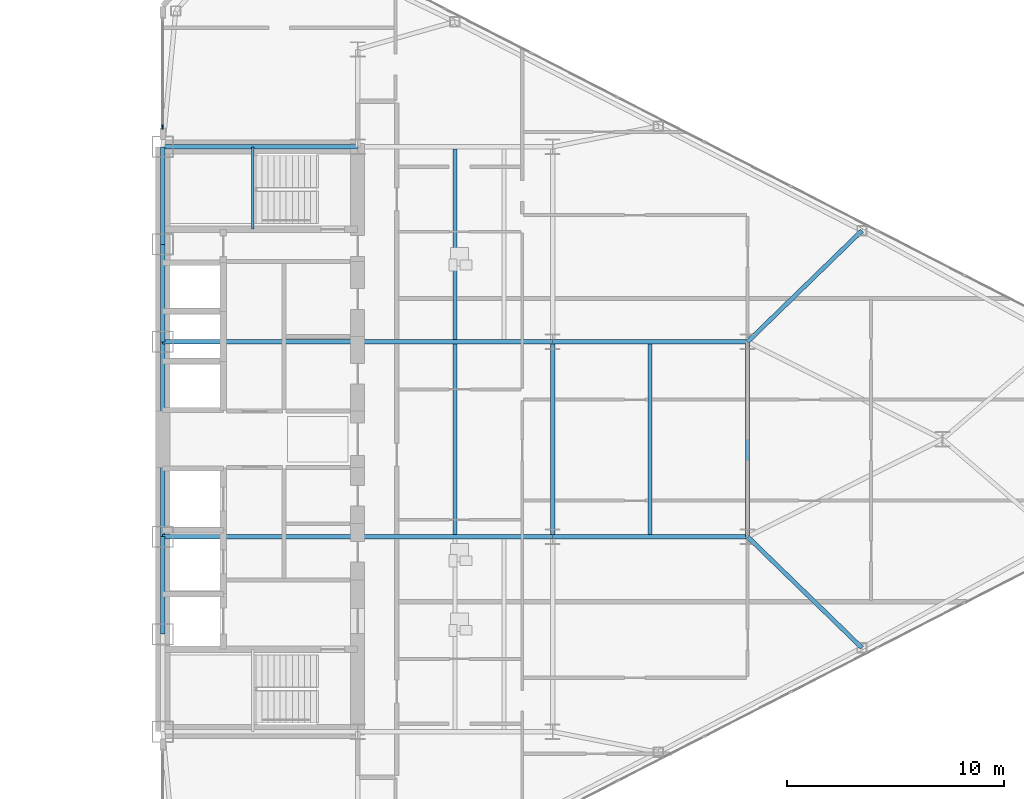
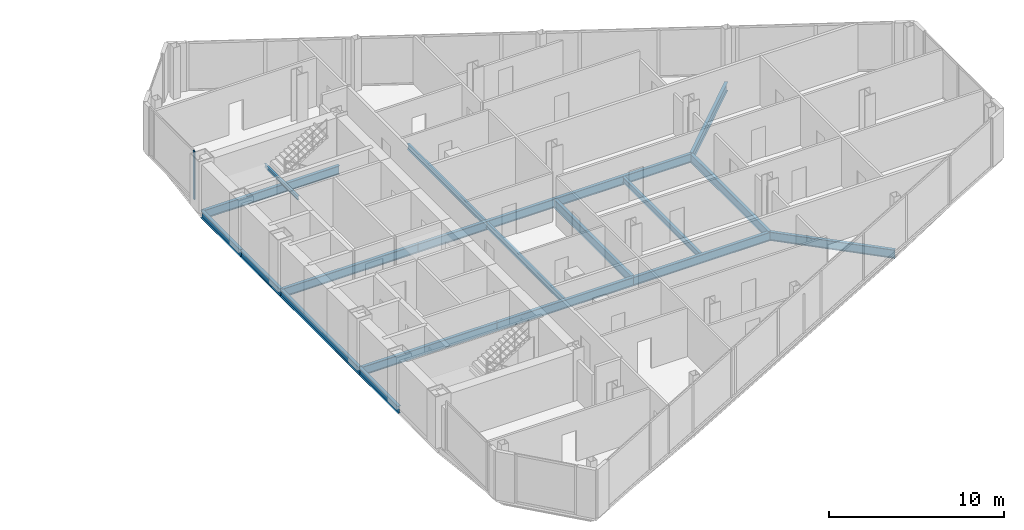
# One storey, part 10 of 24: 19 beams, 1 member, 1 element without a shape of its own.
"""IFC4 building model written with IfcOpenShell, lengths in metres."""

from ifc_helpers import new_model, si_unit, direction, frame, origin, origin_2d, place, context, subcontext, project, spatial, rectangle, i_section, extrude, source, transform, mapped, material, layer, layer_set, material_profile, profile_set, type_object, type_shapes, element, aggregate, save


model = new_model("IFC4")

# Units and contexts
model_context = context("Model", 3, precision=1e-05, world=origin(), true_north=direction((0.0, 1.0)))
body_context = subcontext(model_context, "Body", "Model", "MODEL_VIEW")
ifc_project = project(units=[si_unit("LENGTHUNIT", "METRE"), si_unit("AREAUNIT", "SQUARE_METRE"), si_unit("VOLUMEUNIT", "CUBIC_METRE"), si_unit("PLANEANGLEUNIT", "RADIAN"), si_unit("MASSUNIT", "GRAM", prefix="KILO")], contexts=[model_context])

# Site, building, storey
site_placement = place(None, origin())
site = spatial("IfcSite", under=ifc_project, at=site_placement, CompositionType="ELEMENT")
building_placement = place(site_placement, origin())
building = spatial("IfcBuilding", under=site, at=building_placement, Name="Seokmaru Belvedere", CompositionType="ELEMENT")
storey_placement = place(building_placement, frame((0.0, 0.0, 114.0)))
storey = spatial("IfcBuildingStorey", under=building, at=storey_placement, Name="L30", CompositionType="ELEMENT", Elevation=114.0)

# Beams
ifc_material_1 = material(Name="Steel SM355 (355 MPa)", Category="steel")
ifc_material_profile_1 = material_profile(ifc_material_1, i_section(OverallWidth=0.199951171875, OverallDepth=0.5, WebThickness=0.010009765625, FlangeThickness=0.01611328125, at=origin_2d()), Name="H-500x200x10x16")
ifc_profile_set_1 = profile_set([ifc_material_profile_1], Name="Steel SM355 (355 MPa)")
beam_type_1 = type_object("IfcBeamType", Name="Perimeter Spandrel Beam H-500", PredefinedType="SPANDREL", material=ifc_profile_set_1)
shared_shape_1 = source(origin(), body_context, "Body", "SweptSolid", [
    extrude(i_section(OverallWidth=0.199951171875, OverallDepth=0.5, WebThickness=0.010009765625, FlangeThickness=0.01611328125, at=origin_2d()), origin(), (0.0, 0.0, 1.0), 4.5),
])
for number, where, z_axis, x_axis, name in (
    (1, (27.5, -9.0, -0.469970703125), (0.0, 1.0, 0.0), (-1.0, 0.0, 0.0), "L30 E Portal Spine Spandrel 2"),
    (2, (27.5, 4.5, -0.469970703125), (0.0, 1.0, 0.0), (-1.0, 0.0, 0.0), "L30 E Portal Spine Spandrel 4"),
    (3, (27.5, 9.0, -0.469970703125), (0.0, 1.0, 0.0), (-1.0, 0.0, 0.0), "L30 E Portal Spine Spandrel 5"),
):
    element("IfcBeam", number, at=place(storey_placement, frame(where, z_axis=z_axis, x_axis=x_axis)), inside=storey, type_object=beam_type_1, Name=name, PredefinedType="SPANDREL", context=body_context, shape_type="MappedRepresentation", body=[
        mapped(shared_shape_1, transform((0.0, 0.0, 0.0), scale=1.0)),
    ])
shared_shape_2 = source(origin(), body_context, "Body", "SweptSolid", [
    extrude(i_section(OverallWidth=0.199951171875, OverallDepth=0.5, WebThickness=0.010009765625, FlangeThickness=0.01611328125, at=origin_2d()), origin(), (0.0, 0.0, 1.0), 9.0),
])
type_shapes(beam_type_1, [shared_shape_1, shared_shape_2])
beam_1_placement = place(storey_placement, frame((27.5, -4.5, -0.469970703125), z_axis=(0.0, 1.0, 0.0), x_axis=(-1.0, 0.0, 0.0)))
element("IfcBeam", 4, at=beam_1_placement, inside=storey, type_object=beam_type_1, Name="L30 E Portal Spine Spandrel 3", PredefinedType="SPANDREL", context=body_context, shape_type="MappedRepresentation", body=[
    mapped(shared_shape_2, transform((0.0, 0.0, 0.0), scale=1.0)),
])
ifc_material_profile_2 = material_profile(ifc_material_1, i_section(OverallWidth=0.199951171875, OverallDepth=0.60009765625, WebThickness=0.010986328125, FlangeThickness=0.01708984375, at=origin_2d()), Name="H-600x200x11x17")
ifc_profile_set_2 = profile_set([ifc_material_profile_2], Name="Steel SM355 (355 MPa)")
beam_type_2 = type_object("IfcBeamType", Name="Primary Floor Girder H-600", PredefinedType="BEAM", material=ifc_profile_set_2)
shared_shape_3 = source(origin(), body_context, "Body", "SweptSolid", [
    extrude(i_section(OverallWidth=0.199951171875, OverallDepth=0.60009765625, WebThickness=0.010986328125, FlangeThickness=0.01708984375, at=origin_2d()), origin(), (0.0, 0.0, 1.0), 9.0),
])
for number, where, z_axis, x_axis, name in (
    (5, (45.5, -4.5, -0.52001953125), (0.0, 1.0, 0.0), (-1.0, 0.0, 0.0), "L30 E Interior Grid Girder 2"),
    (6, (27.5, -4.5, -0.52001953125), (1.0, 0.0, 0.0), (0.0, 1.0, 0.0), "L30 E Core Tie Girder 2"),
    (7, (36.5, -4.5, -0.52001953125), (1.0, 0.0, 0.0), (0.0, 1.0, 0.0), "L30 E Wing Primary Girder 2"),
    (8, (27.5, 4.5, -0.52001953125), (1.0, 0.0, 0.0), (0.0, 1.0, 0.0), "L30 E Core Tie Girder 3"),
    (9, (36.5, 4.5, -0.52001953125), (1.0, 0.0, 0.0), (0.0, 1.0, 0.0), "L30 E Wing Primary Girder 3"),
    (10, (27.5, 13.5, -0.52001953125), (1.0, 0.0, 0.0), (0.0, 1.0, 0.0), "L30 E Core Tie Girder 4"),
    (11, (45.5, -4.5, -0.52001953125), (1.0, 0.0, 0.0), (0.0, 1.0, 0.0), "L30 E Outer Wing Girder 1"),
    (12, (45.5, 4.5, -0.52001953125), (1.0, 0.0, 0.0), (0.0, 1.0, 0.0), "L30 E Outer Wing Girder 2"),
    (13, (54.5, -4.5, -0.52001953125), (0.0, 1.0, 0.0), (-1.0, 0.0, 0.0), "L30 E Apex Frame Girder"),
):
    element("IfcBeam", number, at=place(storey_placement, frame(where, z_axis=z_axis, x_axis=x_axis)), inside=storey, type_object=beam_type_2, Name=name, PredefinedType="BEAM", context=body_context, shape_type="MappedRepresentation", body=[
        mapped(shared_shape_3, transform((0.0, 0.0, 0.0), scale=1.0)),
    ])
ifc_material_profile_3 = material_profile(ifc_material_1, i_section(OverallWidth=0.18505859375, OverallDepth=0.389892578125, WebThickness=0.008056640625, FlangeThickness=0.011962890625, at=origin_2d()), Name="H-390x185x8x12")
ifc_profile_set_3 = profile_set([ifc_material_profile_3], Name="Steel SM355 (355 MPa)")
beam_type_3 = type_object("IfcBeamType", Name="Secondary Floor Joist H-350", PredefinedType="JOIST", material=ifc_profile_set_3)
shared_shape_4 = source(origin(), body_context, "Body", "SweptSolid", [
    extrude(i_section(OverallWidth=0.18505859375, OverallDepth=0.389892578125, WebThickness=0.008056640625, FlangeThickness=0.011962890625, at=origin_2d()), origin(), (0.0, 0.0, 1.0), 8.7900390625),
])
type_shapes(beam_type_3, [shared_shape_4])
for number, where, z_axis, x_axis, name in (
    (14, (41.0, -4.39501953125, -0.4150390625), (0.0, 1.0, 0.0), (-1.0, 0.0, 0.0), "L30 E Secondary Floor Joist 2"),
    (15, (41.0, 4.60498046875, -0.4150390625), (0.0, 1.0, 0.0), (-1.0, 0.0, 0.0), "L30 E Secondary Floor Joist 3"),
    (16, (50.0, -4.39501953125, -0.4150390625), (0.0, 1.0, 0.0), (-1.0, 0.0, 0.0), "L30 E Outer Bay Secondary Joist"),
):
    element("IfcBeam", number, at=place(storey_placement, frame(where, z_axis=z_axis, x_axis=x_axis)), inside=storey, type_object=beam_type_3, Name=name, PredefinedType="JOIST", context=body_context, shape_type="MappedRepresentation", body=[
        mapped(shared_shape_4, transform((0.0, 0.0, 0.0), scale=1.0)),
    ])
shared_shape_5 = source(origin(), body_context, "Body", "SweptSolid", [
    extrude(i_section(OverallWidth=0.199951171875, OverallDepth=0.60009765625, WebThickness=0.010986328125, FlangeThickness=0.01708984375, at=origin_2d()), origin(), (0.0, 0.0, 1.0), 7.35986328125),
])
type_shapes(beam_type_2, [shared_shape_3, shared_shape_5])
for number, where, z_axis, x_axis, name in (
    (17, (59.778564453125, -9.62890625, -0.52001953125), (-0.717200745515, 0.696866623273, 0.0), (-0.696866623273, -0.717200745515, 0.0), "L30 E Flank Radial Floor Girder S-3"),
    (18, (59.778564453125, 9.62890625, -0.52001953125), (-0.717200745515, -0.696866623273, 0.0), (0.696866623273, -0.717200745515, 0.0), "L30 E Flank Radial Floor Girder N-3"),
):
    element("IfcBeam", number, at=place(storey_placement, frame(where, z_axis=z_axis, x_axis=x_axis)), inside=storey, type_object=beam_type_2, Name=name, PredefinedType="BEAM", context=body_context, shape_type="MappedRepresentation", body=[
        mapped(shared_shape_5, transform((0.0, 0.0, 0.0), scale=1.0)),
    ])

# Curtain wall, member
ifc_material_2 = material(Name="Bronze Triple Insulating Glass", Category="glass")
ifc_layer = layer(ifc_material_2, 0.195068359375)
ifc_layer_set = layer_set([ifc_layer], Name="Bronze Triple Insulating Glass")
curtain_wall_type = type_object("IfcCurtainWallType", Name="Sky-Lobby and Mid-Rise Curtain Wall System CW-4", PredefinedType="NOTDEFINED", material=ifc_layer_set)
curtain_wall_placement = place(storey_placement, origin())
curtain_wall = element("IfcCurtainWall", 19, at=curtain_wall_placement, inside=storey, type_object=curtain_wall_type, Name="L30 Curtain Wall ESP_2", PredefinedType="NOTDEFINED")
ifc_material_3 = material(Name="Anodised Bronze Aluminium", Category="aluminium")
ifc_material_profile_4 = material_profile(ifc_material_3, rectangle(XDim=0.070068359375, YDim=0.195068359375, at=origin_2d()), Name="CW-M-70x195")
ifc_profile_set_4 = profile_set([ifc_material_profile_4], Name="Anodised Bronze Aluminium")
member_type = type_object("IfcMemberType", Name="Bronze Unitised Mullion 70x195", PredefinedType="MULLION", material=ifc_profile_set_4)
shared_shape_6 = source(origin(), body_context, "Body", "SweptSolid", [
    extrude(rectangle(XDim=0.070068359375, YDim=0.195068359375, at=origin_2d()), origin(), (0.0, 0.0, 1.0), 3.3798828125),
])
type_shapes(member_type, [shared_shape_6])
member_placement = place(storey_placement, frame((27.5, 14.4150390625, 0.0), z_axis=(0.0, 0.0, 1.0), x_axis=(1.0, 0.0, 0.0)))
member = element("IfcMember", 20, at=member_placement, type_object=member_type, Name="CW:L30:ESP_2 Mullion 2", PredefinedType="MULLION", context=body_context, shape_type="MappedRepresentation", body=[
    mapped(shared_shape_6, transform((0.0, 0.0, 0.0), scale=1.0)),
])
aggregate(curtain_wall, [member])

# Beam
ifc_material_profile_5 = material_profile(ifc_material_1, i_section(OverallWidth=0.125, OverallDepth=0.25, WebThickness=0.006103515625, FlangeThickness=0.009033203125, at=origin_2d()), Name="H-250x125x6x9")
ifc_profile_set_5 = profile_set([ifc_material_profile_5], Name="Steel SM355 (355 MPa)")
beam_type_4 = type_object("IfcBeamType", Name="Stair Mid-Landing Support Beam H-250", PredefinedType="JOIST", material=ifc_profile_set_5)
shared_shape_7 = source(origin(), body_context, "Body", "SweptSolid", [
    extrude(i_section(OverallWidth=0.125, OverallDepth=0.25, WebThickness=0.006103515625, FlangeThickness=0.009033203125, at=origin_2d()), origin(), (0.0, 0.0, 1.0), 3.800048828125),
])
type_shapes(beam_type_4, [shared_shape_7])
beam_2_placement = place(storey_placement, frame((31.64990234375, 9.699951171875, 1.47509765625), z_axis=(0.0, 1.0, 0.0), x_axis=(-1.0, 0.0, 0.0)))
element("IfcBeam", 21, at=beam_2_placement, inside=storey, type_object=beam_type_4, Name="L30 Stair ST-E2 Mid-Landing Support Beam 1", PredefinedType="JOIST", context=body_context, shape_type="MappedRepresentation", body=[
    mapped(shared_shape_7, transform((0.0, 0.0, 0.0), scale=1.0)),
])

save(model, "model.ifc")
